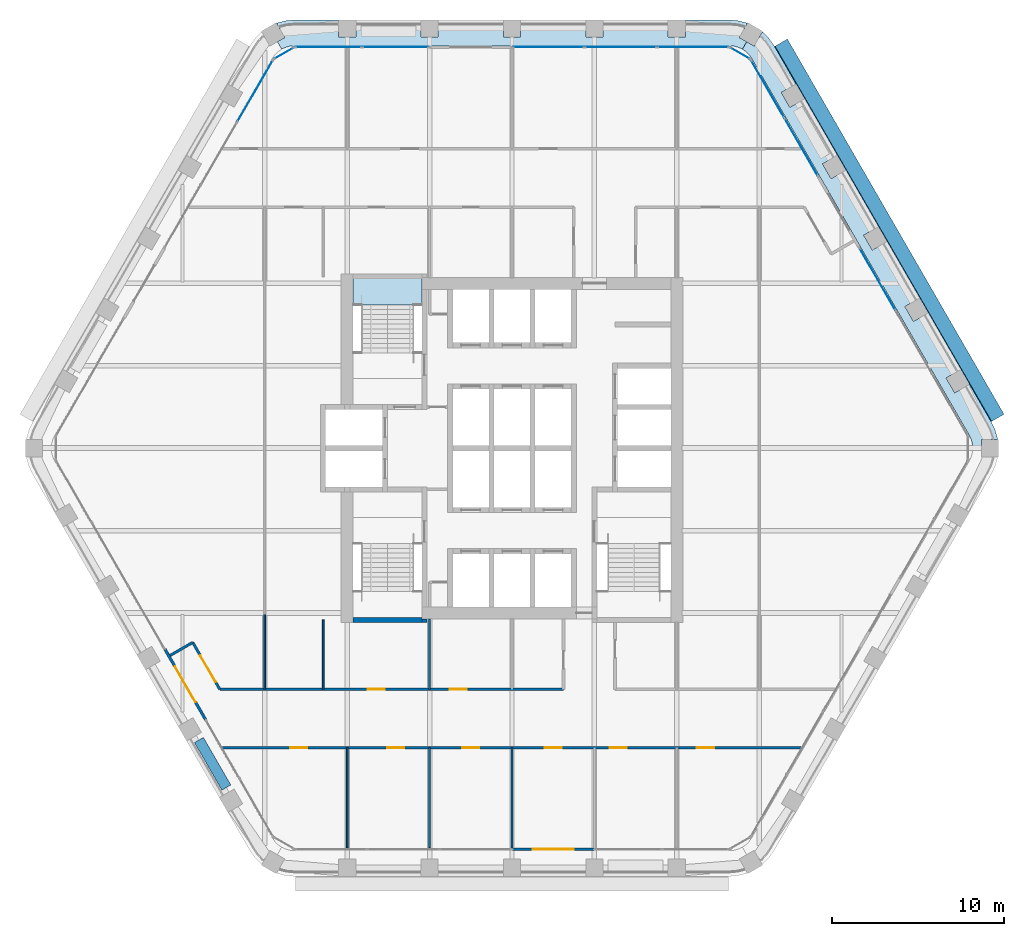
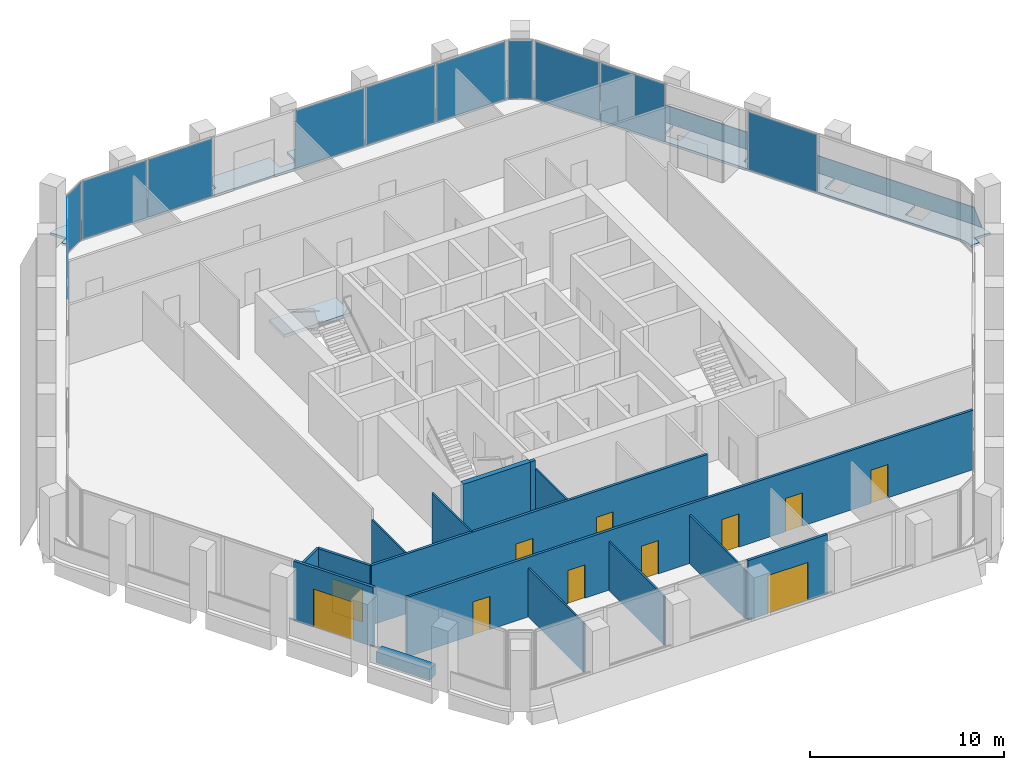
# One storey, part 8 of 15: 15 walls, 12 plates, 11 doors, 3 slabs, 11 openings, 8 elements without a shape of their own.
"""IFC4 building model written with IfcOpenShell, lengths in metres."""

from ifc_helpers import new_model, si_unit, direction, frame, frame_2d, origin, origin_2d, place, context, subcontext, project, spatial, polyline, rectangle, outline, extrude, material, layer, layer_set, type_object, element, fill, aggregate, save


model = new_model("IFC4")

# Units and contexts
model_context = context("Model", 3, precision=1e-05, world=origin(), true_north=direction((0.0, 1.0)))
body_context = subcontext(model_context, "Body", "Model", "MODEL_VIEW")
ifc_project = project(units=[si_unit("LENGTHUNIT", "METRE"), si_unit("AREAUNIT", "SQUARE_METRE"), si_unit("VOLUMEUNIT", "CUBIC_METRE"), si_unit("PLANEANGLEUNIT", "RADIAN"), si_unit("MASSUNIT", "GRAM", prefix="KILO")], contexts=[model_context])

# Site, building, storey
site_placement = place(None, origin())
site = spatial("IfcSite", under=ifc_project, at=site_placement, CompositionType="ELEMENT")
building_placement = place(site_placement, origin())
building = spatial("IfcBuilding", under=site, at=building_placement, Name="Kolab Exchange Tower", CompositionType="ELEMENT")
storey_placement = place(building_placement, frame((0.0, 0.0, 138.800048828125)))
storey = spatial("IfcBuildingStorey", under=building, at=storey_placement, Name="L27", CompositionType="ELEMENT", Elevation=138.800048828125)

# Slabs
ifc_material_1 = material(Name="Concrete C35/45", Category="concrete")
ifc_layer_1 = layer(ifc_material_1, 0.14990234375)
ifc_layer_set_1 = layer_set([ifc_layer_1], Name="Concrete C35/45")
slab_type_1 = type_object("IfcSlabType", Name="LOGGIA SLAB 150", PredefinedType="FLOOR", material=ifc_layer_set_1)
slab_1_placement = place(storey_placement, frame((0.0, 0.0, -0.150146484375)))
element("IfcSlab", 1, at=slab_1_placement, inside=storey, type_object=slab_type_1, Name="slab/L27/loggia/0-0", PredefinedType="FLOOR", context=body_context, shape_type="SweptSolid", body=[
    extrude(outline(polyline([(13.41796875, 23.240478515625), (13.66796875, 23.673583984375), (13.23486328125, 23.923583984375), (13.713134765625, 24.751708984375), (13.694091796875, 24.760498046875), (13.18896484375, 24.89599609375), (12.66796875, 24.941650390625), (10.10009765625, 24.941650390625), (10.10009765625, 23.941650390625), (9.10009765625, 23.941650390625), (9.10009765625, 24.941650390625), (5.300048828125, 24.941650390625), (5.300048828125, 23.941650390625), (4.300048828125, 23.941650390625), (4.300048828125, 24.941650390625), (0.5, 24.941650390625), (0.5, 23.941650390625), (-0.5, 23.941650390625), (-0.5, 24.941650390625), (-4.300048828125, 24.941650390625), (-4.300048828125, 23.941650390625), (-5.300048828125, 23.941650390625), (-5.300048828125, 24.941650390625), (-9.10009765625, 24.941650390625), (-9.10009765625, 23.941650390625), (-10.10009765625, 23.941650390625), (-10.10009765625, 24.941650390625), (-12.66796875, 24.941650390625), (-13.18896484375, 24.89599609375), (-13.694091796875, 24.760498046875), (-13.713134765625, 24.751708984375), (-13.23486328125, 23.923583984375), (-13.66796875, 23.673583984375), (-13.41796875, 23.240478515625), (-13.180908203125, 23.35107421875), (-12.928466796875, 23.418701171875), (-12.66796875, 23.441650390625), (12.66796875, 23.441650390625), (12.928466796875, 23.418701171875), (13.180908203125, 23.35107421875), (13.41796875, 23.240478515625)])), origin(), (0.0, 0.0, 1.0), 0.150146484375),
])
slab_2_placement = place(storey_placement, frame((0.0, 0.0, -0.150146484375)))
element("IfcSlab", 2, at=slab_2_placement, inside=storey, type_object=slab_type_1, Name="slab/L27/loggia/1-0", PredefinedType="FLOOR", context=body_context, shape_type="SweptSolid", body=[
    extrude(outline(polyline([(26.8359375, 0.0), (27.3359375, 0.0), (27.3359375, 0.5), (28.292236328125, 0.5), (28.290283203125, 0.52099609375), (28.155029296875, 1.026123046875), (27.93408203125, 1.5), (26.64990234375, 3.723876953125), (25.783935546875, 3.223876953125), (25.283935546875, 4.08984375), (26.14990234375, 4.58984375), (24.25, 7.880859375), (23.384033203125, 7.380859375), (22.884033203125, 8.246826171875), (23.75, 8.746826171875), (21.85009765625, 12.037841796875), (20.98388671875, 11.537841796875), (20.48388671875, 12.40380859375), (21.35009765625, 12.90380859375), (19.449951171875, 16.194580078125), (18.583984375, 15.694580078125), (18.083984375, 16.560791015625), (18.949951171875, 17.060791015625), (17.050048828125, 20.3515625), (16.18408203125, 19.8515625), (15.68408203125, 20.717529296875), (16.550048828125, 21.217529296875), (15.26611328125, 23.441650390625), (14.966064453125, 23.869873046875), (14.59619140625, 24.23974609375), (14.5791015625, 24.251708984375), (14.10107421875, 23.423583984375), (13.66796875, 23.673583984375), (13.41796875, 23.240478515625), (13.632080078125, 23.090576171875), (13.81689453125, 22.90576171875), (13.967041015625, 22.691650390625), (26.635009765625, 0.75), (26.745361328125, 0.512939453125), (26.81298828125, 0.260498046875), (26.8359375, 0.0)])), origin(), (0.0, 0.0, 1.0), 0.150146484375),
])

# Plate
ifc_material_2 = material(Name="Laminated glass, clear", Category="glass")
ifc_layer_2 = layer(ifc_material_2, 0.0400390625)
ifc_layer_set_2 = layer_set([ifc_layer_2], Name="Laminated glass, clear")
plate_type_1 = type_object("IfcPlateType", Name="OUTER SKIN LAMINATED GLASS SHEET 40", PredefinedType="SHEET", material=ifc_layer_set_2)
plate_1_placement = place(storey_placement, frame((16.040283203125, 23.830810546875, -0.68310546875), z_axis=(0.784879402523, 0.453150748855, 0.422633082363), x_axis=(0.49999996891, -0.866025421734, 9.26397e-07)))
element("IfcPlate", 3, at=plate_1_placement, inside=storey, type_object=plate_type_1, Name="Outer skin", PredefinedType="SHEET", context=body_context, shape_type="SweptSolid", body=[
    extrude(outline(polyline([(0.0, 0.0), (25.235928246078725, 0.0), (25.235843279343584, -1.9610710072384856), (0.00012646525258926716, -1.9611225980101972), (0.0, 0.0)])), origin(), (0.0, 0.0, -1.0), 0.0400390625),
])

# Stair, slab
ifc_material_3 = material(Name="Concrete C50/60", Category="concrete")
stair_type = type_object("IfcStairType", Name="STAIR ST1 RISER 177.3", PredefinedType="HALF_TURN_STAIR", material=ifc_material_3)
stair_placement = place(storey_placement, origin())
stair = element("IfcStair", 4, at=stair_placement, inside=storey, type_object=stair_type, Name="Stair 1", PredefinedType="HALF_TURN_STAIR")
ifc_layer_3 = layer(ifc_material_3, 0.199951171875)
ifc_layer_set_3 = layer_set([ifc_layer_3], Name="Concrete C50/60")
slab_type_2 = type_object("IfcSlabType", Name="STAIR LANDING 200", PredefinedType="LANDING", material=ifc_layer_set_3)
slab_3_placement = place(storey_placement, frame((0.0, 0.0, 1.75)))
slab_3 = element("IfcSlab", 5, at=slab_3_placement, type_object=slab_type_2, Name="ST1 landing 2", PredefinedType="LANDING", context=body_context, shape_type="SweptSolid", body=[
    extrude(outline(polyline([(-9.25, 8.35009765625), (-5.25, 8.35009765625), (-5.25, 9.909912109375), (-9.25, 9.909912109375), (-9.25, 8.35009765625)])), origin(), (0.0, 0.0, 1.0), 0.199951171875),
])
aggregate(stair, [slab_3])

# Curtain wall, plates
ifc_material_4 = material(Name="Aluminium EN AW-6063 T6", Category="aluminium")
curtain_wall_type = type_object("IfcCurtainWallType", Name="UNITISED UPPER MID ZONE CURTAIN WALL", PredefinedType="NOTDEFINED", material=ifc_material_4)
curtain_wall_1_placement = place(storey_placement, origin())
curtain_wall_1 = element("IfcCurtainWall", 6, at=curtain_wall_1_placement, inside=storey, type_object=curtain_wall_type, Name="cw/L27/F1-1", PredefinedType="NOTDEFINED")
ifc_material_5 = material(Name="Clear insulated glazing unit", Category="glass")
ifc_layer_4 = layer(ifc_material_5, 0.028076171875)
ifc_layer_set_4 = layer_set([ifc_layer_4], Name="Clear insulated glazing unit")
plate_type_2 = type_object("IfcPlateType", Name="UNITISED UPPER MID ZONE GLASS PANEL 28", PredefinedType="CURTAIN_PANEL", material=ifc_layer_set_4)
plate_2_placement = place(storey_placement, frame((-10.68603515625, 23.361572265625, 0.06005859375), z_axis=(0.0, 0.0, 1.0), x_axis=(1.0, 0.0, 0.0)))
plate_2 = element("IfcPlate", 7, at=plate_2_placement, type_object=plate_type_2, Name="CW3 panel 1.1", PredefinedType="CURTAIN_PANEL", context=body_context, shape_type="SweptSolid", body=[
    extrude(rectangle(XDim=3.843994140625, YDim=0.028076171875, at=origin_2d()), origin(), (0.0, 0.0, 1.0), 3.6298828125),
])
plate_3_placement = place(storey_placement, frame((-6.781982421875, 23.361572265625, 0.06005859375), z_axis=(0.0, 0.0, 1.0), x_axis=(1.0, 0.0, 0.0)))
plate_3 = element("IfcPlate", 8, at=plate_3_placement, type_object=plate_type_2, Name="CW3 panel 2.1", PredefinedType="CURTAIN_PANEL", context=body_context, shape_type="SweptSolid", body=[
    extrude(rectangle(XDim=3.843994140625, YDim=0.028076171875, at=origin_2d()), origin(), (0.0, 0.0, 1.0), 3.6298828125),
])
aggregate(curtain_wall_1, [plate_2, plate_3])

curtain_wall_2_placement = place(storey_placement, origin())
curtain_wall_2 = element("IfcCurtainWall", 9, at=curtain_wall_2_placement, inside=storey, type_object=curtain_wall_type, Name="cw/L27/F1-2", PredefinedType="NOTDEFINED")
plate_4_placement = place(storey_placement, frame((2.126220703125, 23.361572265625, 0.06005859375), z_axis=(0.0, 0.0, 1.0), x_axis=(1.0, 0.0, 0.0)))
plate_4 = element("IfcPlate", 10, at=plate_4_placement, type_object=plate_type_2, Name="CW3 panel 1.1", PredefinedType="CURTAIN_PANEL", context=body_context, shape_type="SweptSolid", body=[
    extrude(rectangle(XDim=4.132568359375, YDim=0.028076171875, at=origin_2d()), origin(), (0.0, 0.0, 1.0), 3.6298828125),
])
plate_5_placement = place(storey_placement, frame((6.333984375, 23.361572265625, 0.06005859375), z_axis=(0.0, 0.0, 1.0), x_axis=(1.0, 0.0, 0.0)))
plate_5 = element("IfcPlate", 11, at=plate_5_placement, type_object=plate_type_2, Name="CW3 panel 2.1", PredefinedType="CURTAIN_PANEL", context=body_context, shape_type="SweptSolid", body=[
    extrude(rectangle(XDim=4.16259765625, YDim=0.028076171875, at=origin_2d()), origin(), (0.0, 0.0, 1.0), 3.6298828125),
])
plate_6_placement = place(storey_placement, frame((10.54150390625, 23.361572265625, 0.06005859375), z_axis=(0.0, 0.0, 1.0), x_axis=(1.0, 0.0, 0.0)))
plate_6 = element("IfcPlate", 12, at=plate_6_placement, type_object=plate_type_2, Name="CW3 panel 3.1", PredefinedType="CURTAIN_PANEL", context=body_context, shape_type="SweptSolid", body=[
    extrude(rectangle(XDim=4.132568359375, YDim=0.028076171875, at=origin_2d()), origin(), (0.0, 0.0, 1.0), 3.6298828125),
])
aggregate(curtain_wall_2, [plate_4, plate_5, plate_6])

curtain_wall_3_placement = place(storey_placement, origin())
curtain_wall_3 = element("IfcCurtainWall", 13, at=curtain_wall_3_placement, inside=storey, type_object=curtain_wall_type, Name="cw/L27/F2-1", PredefinedType="NOTDEFINED")
plate_7_placement = place(storey_placement, frame((14.888671875, 20.93505859375, 0.06005859375), z_axis=(0.0, 0.0, 1.0), x_axis=(0.500000031681, -0.866025385493, 0.0)))
plate_7 = element("IfcPlate", 14, at=plate_7_placement, type_object=plate_type_2, Name="CW3 panel 1.1", PredefinedType="CURTAIN_PANEL", context=body_context, shape_type="SweptSolid", body=[
    extrude(rectangle(XDim=3.843994140625, YDim=0.028076171875, at=origin_2d()), origin(), (0.0, 0.0, 1.0), 3.6298828125),
])
plate_8_placement = place(storey_placement, frame((16.840576171875, 17.55419921875, 0.06005859375), z_axis=(0.0, 0.0, 1.0), x_axis=(0.500000031681, -0.866025385493, 0.0)))
plate_8 = element("IfcPlate", 15, at=plate_8_placement, type_object=plate_type_2, Name="CW3 panel 2.1", PredefinedType="CURTAIN_PANEL", context=body_context, shape_type="SweptSolid", body=[
    extrude(rectangle(XDim=3.843994140625, YDim=0.028076171875, at=origin_2d()), origin(), (0.0, 0.0, 1.0), 3.6298828125),
])
aggregate(curtain_wall_3, [plate_7, plate_8])

# Curtain wall, plate
curtain_wall_4_placement = place(storey_placement, origin())
curtain_wall_4 = element("IfcCurtainWall", 16, at=curtain_wall_4_placement, inside=storey, type_object=curtain_wall_type, Name="cw/L27/F2-2", PredefinedType="NOTDEFINED")
plate_9_placement = place(storey_placement, frame((21.294921875, 9.83935546875, 0.06005859375), z_axis=(0.0, 0.0, 1.0), x_axis=(0.499999958358, -0.866025427826, 0.0)))
plate_9 = element("IfcPlate", 17, at=plate_9_placement, type_object=plate_type_2, Name="CW3 panel 1.1", PredefinedType="CURTAIN_PANEL", context=body_context, shape_type="SweptSolid", body=[
    extrude(rectangle(XDim=4.132568359375, YDim=0.028076171875, at=origin_2d()), origin(), (0.0, 0.0, 1.0), 3.6298828125),
])
aggregate(curtain_wall_4, [plate_9])

curtain_wall_5_placement = place(storey_placement, origin())
curtain_wall_5 = element("IfcCurtainWall", 18, at=curtain_wall_5_placement, inside=storey, type_object=curtain_wall_type, Name="cw/L27/F6-2", PredefinedType="NOTDEFINED")
plate_10_placement = place(storey_placement, frame((-14.9609375, 20.81005859375, 0.06005859375), z_axis=(0.0, 0.0, 1.0), x_axis=(0.500000017564, 0.866025393644, 0.0)))
plate_10 = element("IfcPlate", 19, at=plate_10_placement, type_object=plate_type_2, Name="CW3 panel 3.1", PredefinedType="CURTAIN_PANEL", context=body_context, shape_type="SweptSolid", body=[
    extrude(rectangle(XDim=4.132568359375, YDim=0.028076171875, at=origin_2d()), origin(), (0.0, 0.0, 1.0), 3.6298828125),
])
aggregate(curtain_wall_5, [plate_10])

curtain_wall_6_placement = place(storey_placement, origin())
curtain_wall_6 = element("IfcCurtainWall", 20, at=curtain_wall_6_placement, inside=storey, type_object=curtain_wall_type, Name="cw/L27/F1F2-corner", PredefinedType="NOTDEFINED")
plate_11_placement = place(storey_placement, frame((13.28271484375, 23.006591796875, 0.06005859375), z_axis=(0.0, 0.0, 1.0), x_axis=(0.866025390869, -0.50000002237, 0.0)))
plate_11 = element("IfcPlate", 21, at=plate_11_placement, type_object=plate_type_2, Name="CW3 panel 1.1", PredefinedType="CURTAIN_PANEL", context=body_context, shape_type="SweptSolid", body=[
    extrude(rectangle(XDim=1.300048828125, YDim=0.028076171875, at=origin_2d()), origin(), (0.0, 0.0, 1.0), 3.6298828125),
])
aggregate(curtain_wall_6, [plate_11])

curtain_wall_7_placement = place(storey_placement, origin())
curtain_wall_7 = element("IfcCurtainWall", 22, at=curtain_wall_7_placement, inside=storey, type_object=curtain_wall_type, Name="cw/L27/F6F1-corner", PredefinedType="NOTDEFINED")
plate_12_placement = place(storey_placement, frame((-13.28271484375, 23.006591796875, 0.06005859375), z_axis=(0.0, 0.0, 1.0), x_axis=(0.866025390869, 0.50000002237, 0.0)))
plate_12 = element("IfcPlate", 23, at=plate_12_placement, type_object=plate_type_2, Name="CW3 panel 1.1", PredefinedType="CURTAIN_PANEL", context=body_context, shape_type="SweptSolid", body=[
    extrude(rectangle(XDim=1.300048828125, YDim=0.028076171875, at=origin_2d()), origin(), (0.0, 0.0, 1.0), 3.6298828125),
])
aggregate(curtain_wall_7, [plate_12])

# Wall, opening, door
ifc_layer_5 = layer(ifc_material_4, 0.159912109375)
ifc_layer_set_5 = layer_set([ifc_layer_5], Name="Aluminium EN AW-6063 T6")
wall_type_1 = type_object("IfcWallType", Name="DOOR SURROUND WALL 160 ALUMINIUM FRAMED", PredefinedType="PARTITIONING", material=ifc_layer_set_5)
wall_1_placement = place(storey_placement, frame((4.77001953125, -23.361572265625, 0.0), z_axis=(0.0, 0.0, 1.0), x_axis=(-1.0, 0.0, 0.0)))
wall_1 = element("IfcWall", 24, at=wall_1_placement, inside=storey, type_object=wall_type_1, Name="Door surround wall", PredefinedType="PARTITIONING", context=body_context, shape_type="SweptSolid", body=[
    extrude(rectangle(XDim=4.739990234375, YDim=0.159912109375, at=frame_2d((2.3701171875, 0.0))), origin(), (0.0, 0.0, 1.0), 3.75),
])
opening_1_placement = place(wall_1_placement, frame((1.169921875, 0.0, 0.0)))
opening_1 = element("IfcOpeningElement", 25, at=opening_1_placement, cuts=wall_1, Name="Opening GD1-067", PredefinedType="OPENING", context=body_context, shape_type="SweptSolid", body=[
    extrude(rectangle(XDim=2.39990234375, YDim=2.39990234375, at=frame_2d((1.199951171875, 1.199951171875))), frame((0.0, 0.08984375, 0.0), z_axis=(0.0, -1.0, 0.0), x_axis=(1.0, 0.0, 0.0)), (0.0, 0.0, 1.0), 0.179931640625),
])
door_type_1 = type_object("IfcDoorType", Name="LOGGIA SLIDING GLASS DOOR 2400 X 2400", OperationType="DOUBLE_DOOR_SINGLE_SWING", PredefinedType="DOOR", material=ifc_material_4)
door_1_placement = place(opening_1_placement, origin())
door_1 = element("IfcDoor", 26, at=door_1_placement, inside=storey, type_object=door_type_1, Name="Loggia door", OperationType="DOUBLE_DOOR_SLIDING", OverallHeight=2.39990234375, OverallWidth=2.39990234375, PredefinedType="DOOR", context=body_context, shape_type="SweptSolid", body=[
    extrude(rectangle(XDim=2.39990234375, YDim=2.39990234375, at=frame_2d((1.199951171875, 1.199951171875))), frame((0.0, 0.02490234375, 0.0), z_axis=(0.0, -1.0, 0.0), x_axis=(1.0, 0.0, 0.0)), (0.0, 0.0, 1.0), 0.050048828125),
])
fill(opening_1, door_1)

wall_2_placement = place(storey_placement, frame((-17.8466796875, -15.811767578125, 0.0), z_axis=(0.0, 0.0, 1.0), x_axis=(-0.5000167099, 0.866015756104, 0.0)))
wall_2 = element("IfcWall", 27, at=wall_2_placement, inside=storey, type_object=wall_type_1, Name="Door surround wall", PredefinedType="PARTITIONING", context=body_context, shape_type="SweptSolid", body=[
    extrude(rectangle(XDim=4.739990234375, YDim=0.159912109375, at=frame_2d((2.3701171875, 0.0))), origin(), (0.0, 0.0, 1.0), 3.75),
])
opening_2_placement = place(wall_2_placement, frame((1.169921875, 0.0, 0.0)))
opening_2 = element("IfcOpeningElement", 28, at=opening_2_placement, cuts=wall_2, Name="Opening GD1-068", PredefinedType="OPENING", context=body_context, shape_type="SweptSolid", body=[
    extrude(rectangle(XDim=2.39990234375, YDim=2.39990234375, at=frame_2d((1.199951171875, 1.199951171875))), frame((0.0, 0.08984375, 0.0), z_axis=(0.0, -1.0, 0.0), x_axis=(1.0, 0.0, 0.0)), (0.0, 0.0, 1.0), 0.179931640625),
])
door_2_placement = place(opening_2_placement, origin())
door_2 = element("IfcDoor", 29, at=door_2_placement, inside=storey, type_object=door_type_1, Name="Loggia door", OperationType="DOUBLE_DOOR_SLIDING", OverallHeight=2.39990234375, OverallWidth=2.39990234375, PredefinedType="DOOR", context=body_context, shape_type="SweptSolid", body=[
    extrude(rectangle(XDim=2.39990234375, YDim=2.39990234375, at=frame_2d((1.199951171875, 1.199951171875))), frame((0.0, 0.02490234375, 0.0), z_axis=(0.0, -1.0, 0.0), x_axis=(1.0, 0.0, 0.0)), (0.0, 0.0, 1.0), 0.050048828125),
])
fill(opening_2, door_2)

# Walls
ifc_material_6 = material(Name="Gypsum board", Category="gypsum")
ifc_layer_6 = layer(ifc_material_6, 0.10009765625)
ifc_layer_set_6 = layer_set([ifc_layer_6], Name="Gypsum board")
wall_type_2 = type_object("IfcWallType", Name="PARTITION 100", PredefinedType="PARTITIONING", material=ifc_layer_set_6)
wall_3_placement = place(storey_placement, frame((0.0, -23.281494140625, 0.0), z_axis=(0.0, 0.0, 1.0), x_axis=(0.0, 1.0, 0.0)))
element("IfcWall", 30, at=wall_3_placement, inside=storey, type_object=wall_type_2, Name="Partition 010", PredefinedType="PARTITIONING", context=body_context, shape_type="SweptSolid", body=[
    extrude(rectangle(XDim=5.840087890625, YDim=0.10009765625, at=frame_2d((2.919921875, 0.0))), origin(), (0.0, 0.0, 1.0), 3.06591796875),
])
wall_4_placement = place(storey_placement, frame((-4.800048828125, -23.271484375, 0.0), z_axis=(0.0, 0.0, 1.0), x_axis=(0.0, 1.0, 0.0)))
element("IfcWall", 31, at=wall_4_placement, inside=storey, type_object=wall_type_2, Name="Partition 014", PredefinedType="PARTITIONING", context=body_context, shape_type="SweptSolid", body=[
    extrude(rectangle(XDim=5.830078125, YDim=0.10009765625, at=frame_2d((2.9150390625, 0.0))), origin(), (0.0, 0.0, 1.0), 3.06591796875),
])
wall_5_placement = place(storey_placement, frame((-4.800048828125, -14.04150390625, 0.0), z_axis=(0.0, 0.0, 1.0), x_axis=(0.0, 1.0, 0.0)))
element("IfcWall", 32, at=wall_5_placement, inside=storey, type_object=wall_type_2, Name="Partition 015", PredefinedType="PARTITIONING", context=body_context, shape_type="SweptSolid", body=[
    extrude(rectangle(XDim=4.091552734375, YDim=0.10009765625, at=frame_2d((2.0458984375, 0.0))), origin(), (0.0, 0.0, 1.0), 3.06591796875),
])
wall_6_placement = place(storey_placement, frame((-9.60009765625, -23.271484375, 0.0), z_axis=(0.0, 0.0, 1.0), x_axis=(0.0, 1.0, 0.0)))
element("IfcWall", 33, at=wall_6_placement, inside=storey, type_object=wall_type_2, Name="Partition 019", PredefinedType="PARTITIONING", context=body_context, shape_type="SweptSolid", body=[
    extrude(rectangle(XDim=5.830078125, YDim=0.10009765625, at=frame_2d((2.9150390625, 0.0))), origin(), (0.0, 0.0, 1.0), 3.06591796875),
])
wall_7_placement = place(storey_placement, frame((-11.0, -14.04150390625, 0.0), z_axis=(0.0, 0.0, 1.0), x_axis=(0.0, 1.0, 0.0)))
element("IfcWall", 34, at=wall_7_placement, inside=storey, type_object=wall_type_2, Name="Partition 021", PredefinedType="PARTITIONING", context=body_context, shape_type="SweptSolid", body=[
    extrude(rectangle(XDim=4.04150390625, YDim=0.10009765625, at=frame_2d((2.020751953125, 0.0))), origin(), (0.0, 0.0, 1.0), 3.75),
])
wall_8_placement = place(storey_placement, frame((-14.39990234375, -14.04150390625, 0.0), z_axis=(0.0, 0.0, 1.0), x_axis=(0.0, 1.0, 0.0)))
element("IfcWall", 35, at=wall_8_placement, inside=storey, type_object=wall_type_2, Name="Partition 023", PredefinedType="PARTITIONING", context=body_context, shape_type="SweptSolid", body=[
    extrude(rectangle(XDim=4.347900390625, YDim=0.10009765625, at=frame_2d((2.173828125, 0.0))), origin(), (0.0, 0.0, 1.0), 3.06591796875),
])

# Wall, opening, door
ifc_layer_7 = layer(ifc_material_6, 0.14990234375)
ifc_layer_set_7 = layer_set([ifc_layer_7], Name="Gypsum board")
wall_type_3 = type_object("IfcWallType", Name="PARTITION 150 FIRE-RATED", PredefinedType="PARTITIONING", material=ifc_layer_set_7)
wall_9_placement = place(storey_placement, frame((-18.595947265625, -11.313720703125, 0.0), z_axis=(0.0, 0.0, 1.0), x_axis=(0.499957296199, -0.866050057432, 0.0)))
wall_9 = element("IfcWall", 36, at=wall_9_placement, inside=storey, type_object=wall_type_3, Name="Partition 024", PredefinedType="PARTITIONING", context=body_context, shape_type="SweptSolid", body=[
    extrude(rectangle(XDim=3.149658203125, YDim=0.14990234375, at=frame_2d((1.57470703125, 0.0))), origin(), (0.0, 0.0, 1.0), 3.75),
])
opening_3_placement = place(wall_9_placement, frame((0.867431640625, 0.0, 0.0)))
opening_3 = element("IfcOpeningElement", 37, at=opening_3_placement, cuts=wall_9, Name="Opening D2-040", PredefinedType="OPENING", context=body_context, shape_type="SweptSolid", body=[
    extrude(rectangle(XDim=1.800048828125, YDim=2.10009765625, at=frame_2d((0.89990234375, 1.050048828125))), frame((0.0, 0.0849609375, 0.0), z_axis=(0.0, -1.0, 0.0), x_axis=(1.0, 0.0, 0.0)), (0.0, 0.0, 1.0), 0.169921875),
])
ifc_material_7 = material(Name="Steel S235", Category="steel")
door_type_2 = type_object("IfcDoorType", Name="DOUBLE DOOR 1800 FD60", OperationType="DOUBLE_DOOR_SINGLE_SWING", PredefinedType="DOOR", material=ifc_material_7)
door_3_placement = place(opening_3_placement, origin())
door_3 = element("IfcDoor", 38, at=door_3_placement, inside=storey, type_object=door_type_2, Name="Door L27-051", OperationType="SINGLE_SWING_RIGHT", OverallHeight=2.10009765625, OverallWidth=1.800048828125, PredefinedType="DOOR", context=body_context, shape_type="SweptSolid", body=[
    extrude(rectangle(XDim=1.800048828125, YDim=2.10009765625, at=frame_2d((0.89990234375, 1.050048828125))), frame((0.0, 0.02490234375, 0.0), z_axis=(0.0, -1.0, 0.0), x_axis=(1.0, 0.0, 0.0)), (0.0, 0.0, 1.0), 0.050048828125),
])
fill(opening_3, door_3)

# Wall
wall_10_placement = place(storey_placement, frame((-19.912353515625, -12.07373046875, 0.0), z_axis=(0.0, 0.0, 1.0), x_axis=(0.866030456496, 0.499991248344, 0.0)))
element("IfcWall", 39, at=wall_10_placement, inside=storey, type_object=wall_type_3, Name="Partition 026", PredefinedType="PARTITIONING", context=body_context, shape_type="SweptSolid", body=[
    extrude(rectangle(XDim=1.52001953125, YDim=0.14990234375, at=frame_2d((0.760009765625, 0.0))), origin(), (0.0, 0.0, 1.0), 3.75),
])

# Wall, openings, doors
wall_11_placement = place(storey_placement, frame((-16.859619140625, -17.44140625, 0.0), z_axis=(0.0, 0.0, 1.0), x_axis=(1.0, 0.0, 0.0)))
wall_11 = element("IfcWall", 40, at=wall_11_placement, inside=storey, type_object=wall_type_3, Name="Partition 028", PredefinedType="PARTITIONING", context=body_context, shape_type="SweptSolid", body=[
    extrude(rectangle(XDim=33.71923828125, YDim=0.14990234375, at=frame_2d((16.859619140625, 0.0))), origin(), (0.0, 0.0, 1.0), 3.75),
])
opening_4_placement = place(wall_11_placement, frame((3.93017578125, 0.0, 0.0)))
opening_4 = element("IfcOpeningElement", 41, at=opening_4_placement, cuts=wall_11, Name="Opening D1-410", PredefinedType="OPENING", context=body_context, shape_type="SweptSolid", body=[
    extrude(rectangle(XDim=1.0, YDim=2.10009765625, at=frame_2d((0.5, 1.050048828125))), frame((0.0, 0.0849609375, 0.0), z_axis=(0.0, -1.0, 0.0), x_axis=(1.0, 0.0, 0.0)), (0.0, 0.0, 1.0), 0.169921875),
])
opening_5_placement = place(wall_11_placement, frame((9.594482421875, 0.0, 0.0)))
opening_5 = element("IfcOpeningElement", 42, at=opening_5_placement, cuts=wall_11, Name="Opening D1-411", PredefinedType="OPENING", context=body_context, shape_type="SweptSolid", body=[
    extrude(rectangle(XDim=1.0, YDim=2.10009765625, at=frame_2d((0.5, 1.050048828125))), frame((0.0, 0.0849609375, 0.0), z_axis=(0.0, -1.0, 0.0), x_axis=(1.0, 0.0, 0.0)), (0.0, 0.0, 1.0), 0.169921875),
])
opening_6_placement = place(wall_11_placement, frame((13.95947265625, 0.0, 0.0)))
opening_6 = element("IfcOpeningElement", 43, at=opening_6_placement, cuts=wall_11, Name="Opening D1-412", PredefinedType="OPENING", context=body_context, shape_type="SweptSolid", body=[
    extrude(rectangle(XDim=1.0, YDim=2.10009765625, at=frame_2d((0.5, 1.050048828125))), frame((0.0, 0.0849609375, 0.0), z_axis=(0.0, -1.0, 0.0), x_axis=(1.0, 0.0, 0.0)), (0.0, 0.0, 1.0), 0.169921875),
])
opening_7_placement = place(wall_11_placement, frame((18.759521484375, 0.0, 0.0)))
opening_7 = element("IfcOpeningElement", 44, at=opening_7_placement, cuts=wall_11, Name="Opening D1-413", PredefinedType="OPENING", context=body_context, shape_type="SweptSolid", body=[
    extrude(rectangle(XDim=1.0, YDim=2.10009765625, at=frame_2d((0.5, 1.050048828125))), frame((0.0, 0.0849609375, 0.0), z_axis=(0.0, -1.0, 0.0), x_axis=(1.0, 0.0, 0.0)), (0.0, 0.0, 1.0), 0.169921875),
])
opening_8_placement = place(wall_11_placement, frame((22.54443359375, 0.0, 0.0)))
opening_8 = element("IfcOpeningElement", 45, at=opening_8_placement, cuts=wall_11, Name="Opening D1-414", PredefinedType="OPENING", context=body_context, shape_type="SweptSolid", body=[
    extrude(rectangle(XDim=1.0, YDim=2.10009765625, at=frame_2d((0.5, 1.050048828125))), frame((0.0, 0.0849609375, 0.0), z_axis=(0.0, -1.0, 0.0), x_axis=(1.0, 0.0, 0.0)), (0.0, 0.0, 1.0), 0.169921875),
])
opening_9_placement = place(wall_11_placement, frame((27.629150390625, 0.0, 0.0)))
opening_9 = element("IfcOpeningElement", 46, at=opening_9_placement, cuts=wall_11, Name="Opening D1-415", PredefinedType="OPENING", context=body_context, shape_type="SweptSolid", body=[
    extrude(rectangle(XDim=1.0, YDim=2.10009765625, at=frame_2d((0.5, 1.050048828125))), frame((0.0, 0.0849609375, 0.0), z_axis=(0.0, -1.0, 0.0), x_axis=(1.0, 0.0, 0.0)), (0.0, 0.0, 1.0), 0.169921875),
])
door_type_3 = type_object("IfcDoorType", Name="FLUSH DOOR 1000 FD60", OperationType="SINGLE_SWING_LEFT", PredefinedType="DOOR", material=ifc_material_7)
door_4_placement = place(opening_4_placement, frame((1.0, 0.0, 0.0), z_axis=(0.0, 0.0, 1.0), x_axis=(-1.0, 0.0, 0.0)))
door_4 = element("IfcDoor", 47, at=door_4_placement, inside=storey, type_object=door_type_3, Name="Door L27-043", OperationType="SINGLE_SWING_RIGHT", OverallHeight=2.10009765625, OverallWidth=1.0, PredefinedType="DOOR", context=body_context, shape_type="SweptSolid", body=[
    extrude(rectangle(XDim=1.0, YDim=2.10009765625, at=frame_2d((0.5, 1.050048828125))), frame((0.0, 0.02490234375, 0.0), z_axis=(0.0, -1.0, 0.0), x_axis=(1.0, 0.0, 0.0)), (0.0, 0.0, 1.0), 0.050048828125),
])
fill(opening_4, door_4)
door_5_placement = place(opening_5_placement, frame((1.0, 0.0, 0.0), z_axis=(0.0, 0.0, 1.0), x_axis=(-1.0, 0.0, 0.0)))
door_5 = element("IfcDoor", 48, at=door_5_placement, inside=storey, type_object=door_type_3, Name="Door L27-044", OperationType="SINGLE_SWING_RIGHT", OverallHeight=2.10009765625, OverallWidth=1.0, PredefinedType="DOOR", context=body_context, shape_type="SweptSolid", body=[
    extrude(rectangle(XDim=1.0, YDim=2.10009765625, at=frame_2d((0.5, 1.050048828125))), frame((0.0, 0.02490234375, 0.0), z_axis=(0.0, -1.0, 0.0), x_axis=(1.0, 0.0, 0.0)), (0.0, 0.0, 1.0), 0.050048828125),
])
fill(opening_5, door_5)
door_6_placement = place(opening_6_placement, frame((1.0, 0.0, 0.0), z_axis=(0.0, 0.0, 1.0), x_axis=(-1.0, 0.0, 0.0)))
door_6 = element("IfcDoor", 49, at=door_6_placement, inside=storey, type_object=door_type_3, Name="Door L27-045", OperationType="SINGLE_SWING_LEFT", OverallHeight=2.10009765625, OverallWidth=1.0, PredefinedType="DOOR", context=body_context, shape_type="SweptSolid", body=[
    extrude(rectangle(XDim=1.0, YDim=2.10009765625, at=frame_2d((0.5, 1.050048828125))), frame((0.0, 0.02490234375, 0.0), z_axis=(0.0, -1.0, 0.0), x_axis=(1.0, 0.0, 0.0)), (0.0, 0.0, 1.0), 0.050048828125),
])
fill(opening_6, door_6)
door_7_placement = place(opening_7_placement, frame((1.0, 0.0, 0.0), z_axis=(0.0, 0.0, 1.0), x_axis=(-1.0, 0.0, 0.0)))
door_7 = element("IfcDoor", 50, at=door_7_placement, inside=storey, type_object=door_type_3, Name="Door L27-046", OperationType="SINGLE_SWING_LEFT", OverallHeight=2.10009765625, OverallWidth=1.0, PredefinedType="DOOR", context=body_context, shape_type="SweptSolid", body=[
    extrude(rectangle(XDim=1.0, YDim=2.10009765625, at=frame_2d((0.5, 1.050048828125))), frame((0.0, 0.02490234375, 0.0), z_axis=(0.0, -1.0, 0.0), x_axis=(1.0, 0.0, 0.0)), (0.0, 0.0, 1.0), 0.050048828125),
])
fill(opening_7, door_7)
door_8_placement = place(opening_8_placement, frame((1.0, 0.0, 0.0), z_axis=(0.0, 0.0, 1.0), x_axis=(-1.0, 0.0, 0.0)))
door_8 = element("IfcDoor", 51, at=door_8_placement, inside=storey, type_object=door_type_3, Name="Door L27-047", OperationType="SINGLE_SWING_LEFT", OverallHeight=2.10009765625, OverallWidth=1.0, PredefinedType="DOOR", context=body_context, shape_type="SweptSolid", body=[
    extrude(rectangle(XDim=1.0, YDim=2.10009765625, at=frame_2d((0.5, 1.050048828125))), frame((0.0, 0.02490234375, 0.0), z_axis=(0.0, -1.0, 0.0), x_axis=(1.0, 0.0, 0.0)), (0.0, 0.0, 1.0), 0.050048828125),
])
fill(opening_8, door_8)
door_9_placement = place(opening_9_placement, frame((1.0, 0.0, 0.0), z_axis=(0.0, 0.0, 1.0), x_axis=(-1.0, 0.0, 0.0)))
door_9 = element("IfcDoor", 52, at=door_9_placement, inside=storey, type_object=door_type_3, Name="Door L27-048", OperationType="SINGLE_SWING_LEFT", OverallHeight=2.10009765625, OverallWidth=1.0, PredefinedType="DOOR", context=body_context, shape_type="SweptSolid", body=[
    extrude(rectangle(XDim=1.0, YDim=2.10009765625, at=frame_2d((0.5, 1.050048828125))), frame((0.0, 0.02490234375, 0.0), z_axis=(0.0, -1.0, 0.0), x_axis=(1.0, 0.0, 0.0)), (0.0, 0.0, 1.0), 0.050048828125),
])
fill(opening_9, door_9)

wall_12_placement = place(storey_placement, frame((-17.021240234375, -14.04150390625, 0.0), z_axis=(0.0, 0.0, 1.0), x_axis=(1.0, 0.0, 0.0)))
wall_12 = element("IfcWall", 53, at=wall_12_placement, inside=storey, type_object=wall_type_3, Name="Partition 029", PredefinedType="PARTITIONING", context=body_context, shape_type="SweptSolid", body=[
    extrude(rectangle(XDim=20.021240234375, YDim=0.14990234375, at=frame_2d((10.0107421875, 0.0))), origin(), (0.0, 0.0, 1.0), 3.75),
])
opening_10_placement = place(wall_12_placement, frame((8.62109375, 0.0, 0.0)))
opening_10 = element("IfcOpeningElement", 54, at=opening_10_placement, cuts=wall_12, Name="Opening D1-403", PredefinedType="OPENING", context=body_context, shape_type="SweptSolid", body=[
    extrude(rectangle(XDim=1.0, YDim=2.10009765625, at=frame_2d((0.5, 1.050048828125))), frame((0.0, 0.0849609375, 0.0), z_axis=(0.0, -1.0, 0.0), x_axis=(1.0, 0.0, 0.0)), (0.0, 0.0, 1.0), 0.169921875),
])
opening_11_placement = place(wall_12_placement, frame((13.396240234375, 0.0, 0.0)))
opening_11 = element("IfcOpeningElement", 55, at=opening_11_placement, cuts=wall_12, Name="Opening D1-404", PredefinedType="OPENING", context=body_context, shape_type="SweptSolid", body=[
    extrude(rectangle(XDim=1.0, YDim=2.10009765625, at=frame_2d((0.5, 1.050048828125))), frame((0.0, 0.0849609375, 0.0), z_axis=(0.0, -1.0, 0.0), x_axis=(1.0, 0.0, 0.0)), (0.0, 0.0, 1.0), 0.169921875),
])
door_10_placement = place(opening_10_placement, origin())
door_10 = element("IfcDoor", 56, at=door_10_placement, inside=storey, type_object=door_type_3, Name="Door L27-036", OperationType="SINGLE_SWING_LEFT", OverallHeight=2.10009765625, OverallWidth=1.0, PredefinedType="DOOR", context=body_context, shape_type="SweptSolid", body=[
    extrude(rectangle(XDim=1.0, YDim=2.10009765625, at=frame_2d((0.5, 1.050048828125))), frame((0.0, 0.02490234375, 0.0), z_axis=(0.0, -1.0, 0.0), x_axis=(1.0, 0.0, 0.0)), (0.0, 0.0, 1.0), 0.050048828125),
])
fill(opening_10, door_10)
door_11_placement = place(opening_11_placement, origin())
door_11 = element("IfcDoor", 57, at=door_11_placement, inside=storey, type_object=door_type_3, Name="Door L27-037", OperationType="SINGLE_SWING_LEFT", OverallHeight=2.10009765625, OverallWidth=1.0, PredefinedType="DOOR", context=body_context, shape_type="SweptSolid", body=[
    extrude(rectangle(XDim=1.0, YDim=2.10009765625, at=frame_2d((0.5, 1.050048828125))), frame((0.0, 0.02490234375, 0.0), z_axis=(0.0, -1.0, 0.0), x_axis=(1.0, 0.0, 0.0)), (0.0, 0.0, 1.0), 0.050048828125),
])
fill(opening_11, door_11)

# Walls
ifc_material_8 = material(Name="Granite facing", Category="masonry")
ifc_layer_8 = layer(ifc_material_8, 0.0400390625)
ifc_material_9 = material(Name="Concrete C40/50 precast", Category="concrete")
ifc_layer_9 = layer(ifc_material_9, 0.56005859375)
ifc_layer_set_8 = layer_set([ifc_layer_8, ifc_layer_9], Name="Concrete C40/50 precast")
wall_type_4 = type_object("IfcWallType", Name="PLANTER BOX 600 X 700 SOIL DEPTH 550", PredefinedType="USERDEFINED", material=ifc_layer_set_8)
wall_13_placement = place(storey_placement, frame((-16.636962890625, -19.766845703125, 0.0), z_axis=(0.0, 0.0, 1.0), x_axis=(-0.500028443584, 0.866008981251, 0.0)))
element("IfcWall", 58, at=wall_13_placement, inside=storey, type_object=wall_type_4, Name="Planter", ObjectType="PLANTER", PredefinedType="USERDEFINED", context=body_context, shape_type="SweptSolid", body=[
    extrude(rectangle(XDim=3.199951171875, YDim=0.60009765625, at=frame_2d((1.60009765625, 0.0))), origin(), (0.0, 0.0, 1.0), 0.699951171875),
])
ifc_layer_10 = layer(ifc_material_3, 0.300048828125)
ifc_layer_set_9 = layer_set([ifc_layer_10], Name="Concrete C50/60")
wall_type_5 = type_object("IfcWallType", Name="STAIR ENCLOSURE WALL 300 C50/60", PredefinedType="STANDARD", material=ifc_layer_set_9)
wall_14_placement = place(storey_placement, frame((-9.25, -10.0, -0.150146484375), z_axis=(0.0, 0.0, 1.0), x_axis=(1.0, 0.0, 0.0)))
element("IfcWall", 59, at=wall_14_placement, inside=storey, type_object=wall_type_5, Name="wall/L27/core/000", PredefinedType="STANDARD", context=body_context, shape_type="SweptSolid", body=[
    extrude(rectangle(XDim=4.0, YDim=0.300048828125, at=frame_2d((2.0, 0.0))), origin(), (0.0, 0.0, 1.0), 3.900146484375),
])
wall_15_placement = place(storey_placement, frame((-5.10009765625, -10.14990234375, -0.150146484375), z_axis=(0.0, 0.0, 1.0), x_axis=(0.0, 1.0, 0.0)))
element("IfcWall", 60, at=wall_15_placement, inside=storey, type_object=wall_type_5, Name="wall/L27/core/039", PredefinedType="STANDARD", context=body_context, shape_type="SweptSolid", body=[
    extrude(rectangle(XDim=0.199951171875, YDim=0.300048828125, at=frame_2d((0.10009765625, 0.0))), origin(), (0.0, 0.0, 1.0), 3.900146484375),
])

save(model, "model.ifc")
